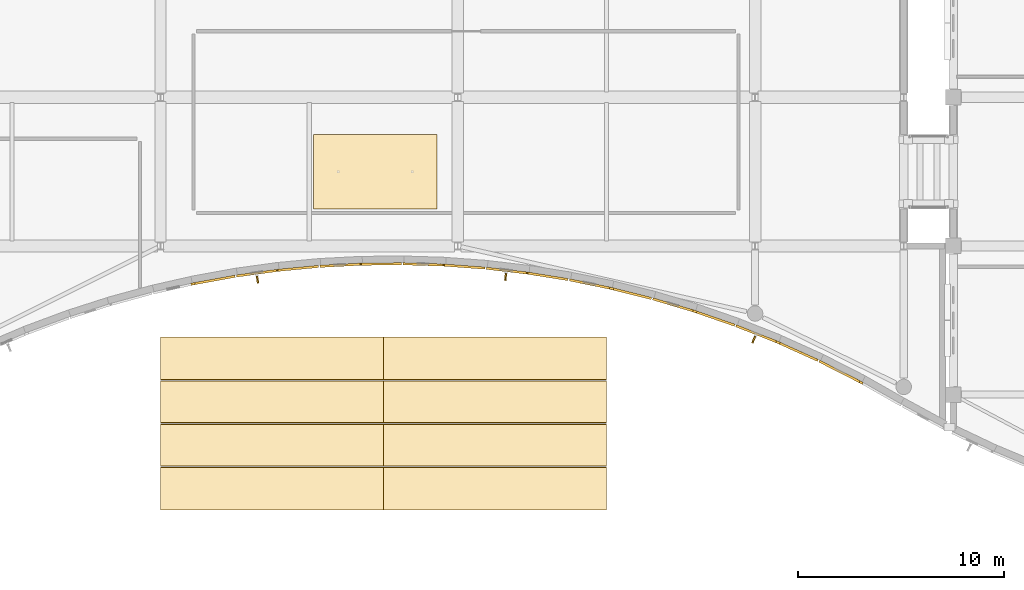
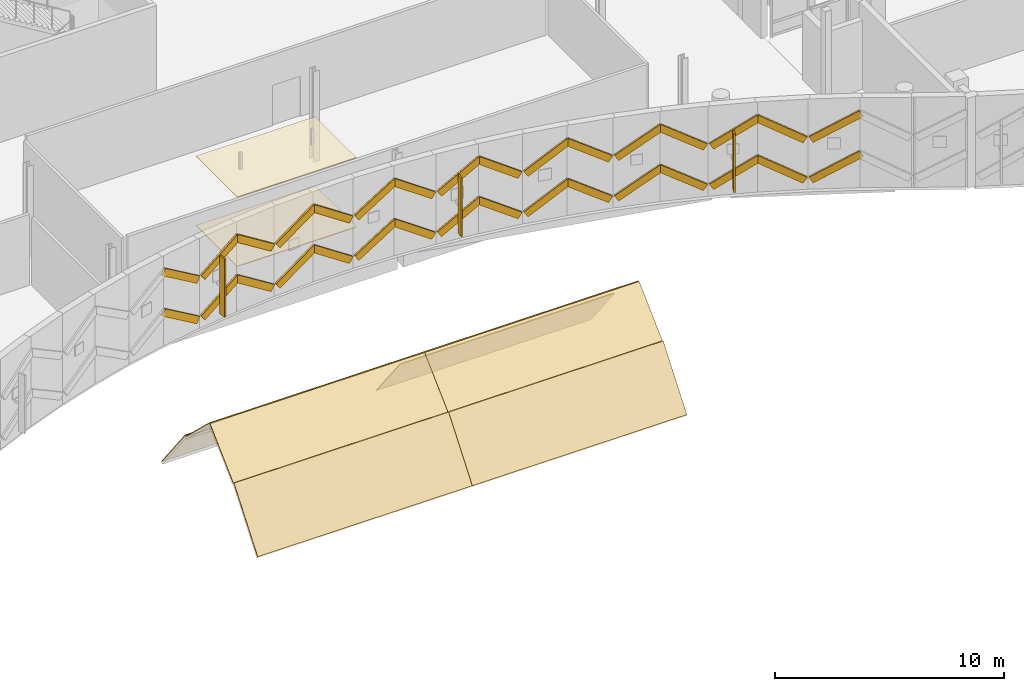
# One storey, part 177 of 193: 42 coverings, 3 shading devices, 2 elements without a shape of their own.
"""IFC4 building model written with IfcOpenShell, lengths in metres."""

from ifc_helpers import new_model, si_unit, direction, frame, origin, origin_2d, place, context, subcontext, project, spatial, polyline, rectangle, outline, extrude, material, layer, layer_set, type_object, element, aggregate, save


model = new_model("IFC4")

# Units and contexts
model_context = context("Model", 3, precision=1e-05, world=origin(), true_north=direction((0.0, 1.0)))
body_context = subcontext(model_context, "Body", "Model", "MODEL_VIEW")
ifc_project = project(units=[si_unit("LENGTHUNIT", "METRE"), si_unit("AREAUNIT", "SQUARE_METRE"), si_unit("VOLUMEUNIT", "CUBIC_METRE"), si_unit("PLANEANGLEUNIT", "RADIAN"), si_unit("MASSUNIT", "GRAM", prefix="KILO")], contexts=[model_context])

# Site, building, storey
site_placement = place(None, origin())
site = spatial("IfcSite", under=ifc_project, at=site_placement, CompositionType="ELEMENT")
building_placement = place(site_placement, origin())
building = spatial("IfcBuilding", under=site, at=building_placement, Name="Cendralis Lancet Convention Centre", CompositionType="ELEMENT")
storey_placement = place(building_placement, frame((0.0, 0.0, 10.199951171875)))
storey = spatial("IfcBuildingStorey", under=building, at=storey_placement, Name="L02", CompositionType="ELEMENT", Elevation=10.199951171875)

# Coverings
ifc_material_1 = material(Name="Warm buff sandstone chevron cassette", Category="masonry")
ifc_layer_1 = layer(ifc_material_1, 0.06005859375, Name="Warm buff sandstone chevron cassette")
ifc_layer_set_1 = layer_set([ifc_layer_1], Name="Warm buff sandstone chevron cassette")
covering_type_1 = type_object("IfcCoveringType", Name="ARC-CV-CLAD1", PredefinedType="CLADDING", material=ifc_layer_set_1)
covering_1_placement = place(storey_placement, frame((95.27294921875, 12.5234375, 2.0), z_axis=(0.540218512376, 0.098775845378, 0.835707658967), x_axis=(0.822163228386, 0.149849870904, -0.549174509678)))
element("IfcCovering", 1, at=covering_1_placement, inside=storey, type_object=covering_type_1, Name="L02 Diagonal Stone Chevron Relief CL-ST1 #0285", PredefinedType="CLADDING", context=body_context, shape_type="SweptSolid", body=[
    extrude(outline(polyline([(0.0, 0.0), (2.36727816971473, 1.8106176280507924e-17), (2.3672264781402927, 0.10994732982150186), (-5.1691574437417315e-05, 0.10994732982150184), (0.0, 0.0)])), origin(), (0.0, 0.0, -1.0), 0.360107421875),
])
covering_2_placement = place(storey_placement, frame((97.286865234375, 12.888916015625, 0.699951171875), z_axis=(-0.546765283479, -0.075310335798, 0.833892126179), x_axis=(0.82603341527, 0.114214414067, 0.551927408703)))
element("IfcCovering", 2, at=covering_2_placement, inside=storey, type_object=covering_type_1, Name="L02 Diagonal Stone Chevron Relief CL-ST1 #0291", PredefinedType="CLADDING", context=body_context, shape_type="SweptSolid", body=[
    extrude(outline(polyline([(0.0, 0.0), (2.3555576306989456, -3.366447745567491e-17), (2.3555185123740348, 0.11017558658850715), (0.00013466561092919174, 0.10990034102061025), (0.0, 0.0)])), origin(), (0.0, 0.0, -1.0), 0.360107421875),
])
covering_3_placement = place(storey_placement, frame((99.301025390625, 13.166015625, 2.0), z_axis=(0.551183897876, 0.052844833018, 0.832708673154), x_axis=(0.828960105876, 0.078923824437, -0.553711272056)))
element("IfcCovering", 3, at=covering_3_placement, inside=storey, type_object=covering_type_1, Name="L02 Diagonal Stone Chevron Relief CL-ST1 #0297", PredefinedType="CLADDING", context=body_context, shape_type="SweptSolid", body=[
    extrude(outline(polyline([(0.0, 0.0), (2.3478724781473024, 8.40256683676266e-18), (2.3478215779079266, 0.11012067175197505), (-7.016875120143158e-05, 0.10987763488500937), (0.0, 0.0)])), origin(), (0.0, 0.0, -1.0), 0.360107421875),
])
covering_4_placement = place(storey_placement, frame((101.31591796875, 13.3564453125, 0.699951171875), z_axis=(-0.554363837926, -0.029566071356, 0.831749110384), x_axis=(0.830590287499, 0.043890863692, 0.555151660717)))
element("IfcCovering", 4, at=covering_4_placement, inside=storey, type_object=covering_type_1, Name="L02 Diagonal Stone Chevron Relief CL-ST1 #0303", PredefinedType="CLADDING", context=body_context, shape_type="SweptSolid", body=[
    extrude(outline(polyline([(0.0, 0.0), (2.3417903973232903, 1.5720931501039814e-18), (2.341745651659616, 0.11001941119744647), (-4.474566367464357e-05, 0.11001941119744647), (0.0, 0.0)])), origin(), (0.0, 0.0, -1.0), 0.360107421875),
])
covering_5_placement = place(storey_placement, frame((103.32958984375, 13.46142578125, 2.0), z_axis=(0.555614467531, 0.005556144675, 0.831421489214), x_axis=(0.831376407589, 0.008660177623, -0.555642214224)))
element("IfcCovering", 5, at=covering_5_placement, inside=storey, type_object=covering_type_1, Name="L02 Diagonal Stone Chevron Relief CL-ST1 #0309", PredefinedType="CLADDING", context=body_context, shape_type="SweptSolid", body=[
    extrude(outline(polyline([(0.0, 0.0), (2.3398244143446307, -3.3068166260807885e-18), (2.339760986095707, 0.10987002348181216), (0.00013954450683504357, 0.10986751188847568), (0.0, 0.0)])), origin(), (0.0, 0.0, -1.0), 0.360107421875),
])
covering_6_placement = place(storey_placement, frame((105.343505859375, 13.48095703125, 0.699951171875), z_axis=(-0.55523109858, 0.017890779843, 0.831503666358), x_axis=(0.831088069029, -0.026287701467, 0.55551919703)))
element("IfcCovering", 6, at=covering_6_placement, inside=storey, type_object=covering_type_1, Name="L02 Diagonal Stone Chevron Relief CL-ST1 #0315", PredefinedType="CLADDING", context=body_context, shape_type="SweptSolid", body=[
    extrude(outline(polyline([(0.0, 0.0), (2.340342497780828, -2.6020852139652106e-18), (2.3402950776895706, 0.10991640566800805), (0.00015548226934535957, 0.1099241686054599), (0.0, 0.0)])), origin(), (0.0, 0.0, -1.0), 0.360107421875),
])
covering_7_placement = place(storey_placement, frame((107.357421875, 13.415771484375, 2.0), z_axis=(0.553075734647, -0.041265116059, 0.832108419583), x_axis=(0.829836069915, -0.061453916362, -0.554612940015)))
element("IfcCovering", 7, at=covering_7_placement, inside=storey, type_object=covering_type_1, Name="L02 Diagonal Stone Chevron Relief CL-ST1 #0321", PredefinedType="CLADDING", context=body_context, shape_type="SweptSolid", body=[
    extrude(outline(polyline([(0.0, 0.0), (2.343963790342994, -1.4148838350935833e-17), (2.344115552533026, 0.10993284937089597), (-5.083450672504434e-05, 0.10991477747427505), (0.0, 0.0)])), origin(), (0.0, 0.0, -1.0), 0.360107421875),
])
covering_8_placement = place(storey_placement, frame((109.370849609375, 13.26513671875, 0.699951171875), z_axis=(-0.548958948721, 0.064943804201, 0.833322491545), x_axis=(0.827675011326, -0.096854482073, 0.552786834982)))
element("IfcCovering", 8, at=covering_8_placement, inside=storey, type_object=covering_type_1, Name="L02 Diagonal Stone Chevron Relief CL-ST1 #0327", PredefinedType="CLADDING", context=body_context, shape_type="SweptSolid", body=[
    extrude(outline(polyline([(0.0, 0.0), (2.351808592127162, -9.107298248878237e-18), (2.351924795162226, 0.1101376709805901), (0.00011620303506416733, 0.1101376709805901), (0.0, 0.0)])), origin(), (0.0, 0.0, -1.0), 0.360107421875),
])
covering_9_placement = place(storey_placement, frame((111.385498046875, 13.028076171875, 2.0), z_axis=(0.543718944741, -0.086848245392, 0.834761697373), x_axis=(0.824218881, -0.132251403169, -0.550611298979)))
element("IfcCovering", 9, at=covering_9_placement, inside=storey, type_object=covering_type_1, Name="L02 Diagonal Stone Chevron Relief CL-ST1 #0333", PredefinedType="CLADDING", context=body_context, shape_type="SweptSolid", body=[
    extrude(outline(polyline([(0.0, 0.0), (2.3610848174231873, 3.198396408832238e-17), (2.361035969167337, 0.10977561554465676), (-8.113619607742067e-05, 0.11001668101012409), (0.0, 0.0)])), origin(), (0.0, 0.0, -1.0), 0.360107421875),
])
covering_10_placement = place(storey_placement, frame((113.39892578125, 12.703369140625, 0.699951171875), z_axis=(-0.536304363966, 0.110057925032, 0.83681830903), x_axis=(0.819783716895, -0.167986776787, 0.5474806849)))
element("IfcCovering", 10, at=covering_10_placement, inside=storey, type_object=covering_type_1, Name="L02 Diagonal Stone Chevron Relief CL-ST1 #0339", PredefinedType="CLADDING", context=body_context, shape_type="SweptSolid", body=[
    extrude(outline(polyline([(0.0, 0.0), (2.374702245821043, 6.830473686658678e-18), (2.3746286046973313, 0.10988520753186476), (0.0001265013852954841, 0.10993423804911716), (0.0, 0.0)])), origin(), (0.0, 0.0, -1.0), 0.360107421875),
])
covering_11_placement = place(storey_placement, frame((115.41259765625, 12.289306640625, 2.0), z_axis=(0.527422899245, -0.131553995464, 0.839356081547), x_axis=(0.81430104305, -0.203549740484, -0.543581929829)))
element("IfcCovering", 11, at=covering_11_placement, inside=storey, type_object=covering_type_1, Name="L02 Diagonal Stone Chevron Relief CL-ST1 #0345", PredefinedType="CLADDING", context=body_context, shape_type="SweptSolid", body=[
    extrude(outline(polyline([(0.0, 0.0), (2.3916336375181073, 1.5720931501039814e-18), (2.391586659271256, 0.10995817380137013), (-4.6978246851469424e-05, 0.10995817380137009), (0.0, 0.0)])), origin(), (0.0, 0.0, -1.0), 0.360107421875),
])
covering_12_placement = place(storey_placement, frame((117.42578125, 11.78466796875, 0.699951171875), z_axis=(-0.516176060511, 0.153716393454, 0.842575542571), x_axis=(0.807545890848, -0.240422919393, 0.538578178174)))
element("IfcCovering", 12, at=covering_12_placement, inside=storey, type_object=covering_type_1, Name="L02 Diagonal Stone Chevron Relief CL-ST1 #0351", PredefinedType="CLADDING", context=body_context, shape_type="SweptSolid", body=[
    extrude(outline(polyline([(0.0, 0.0), (2.413784294605301, 1.5178830414797062e-16), (2.413860153673085, 0.11007057012663117), (-6.259868891902651e-05, 0.10976691232723765), (0.0, 0.0)])), origin(), (0.0, 0.0, -1.0), 0.360107421875),
])
covering_13_placement = place(storey_placement, frame((119.440185546875, 11.18359375, 2.0), z_axis=(0.503700474187, -0.174813693983, 0.846005912923), x_axis=(0.799454346081, -0.27676501759, -0.533173399159)))
element("IfcCovering", 13, at=covering_13_placement, inside=storey, type_object=covering_type_1, Name="L02 Diagonal Stone Chevron Relief CL-ST1 #0357", PredefinedType="CLADDING", context=body_context, shape_type="SweptSolid", body=[
    extrude(outline(polyline([(0.0, 0.0), (2.4382251851197183, -4.2392304944183223e-17), (2.4383946457506482, 0.10987099983241229), (-2.5718652781586693e-05, 0.10979108019061262), (0.0, 0.0)])), origin(), (0.0, 0.0, -1.0), 0.360107421875),
])
covering_14_placement = place(storey_placement, frame((121.453369140625, 10.485107421875, 0.699951171875), z_axis=(-0.489239124765, 0.194643522756, 0.850152326262), x_axis=(0.78997924583, -0.314152468909, 0.526536814892)))
element("IfcCovering", 14, at=covering_14_placement, inside=storey, type_object=covering_type_1, Name="L02 Diagonal Stone Chevron Relief CL-ST1 #0363", PredefinedType="CLADDING", context=body_context, shape_type="SweptSolid", body=[
    extrude(outline(polyline([(0.0, 0.0), (2.468997833974073, 1.5582695724047912e-16), (2.4690702581880943, 0.11012065401670039), (-4.3744432687425894e-05, 0.10980357161026215), (0.0, 0.0)])), origin(), (0.0, 0.0, -1.0), 0.360107421875),
])
covering_15_placement = place(storey_placement, frame((123.46630859375, 9.68310546875, 2.0), z_axis=(0.472534157954, -0.214369154584, 0.854843456505), x_axis=(0.779156200712, -0.351672677385, -0.518885288743)))
element("IfcCovering", 15, at=covering_15_placement, inside=storey, type_object=covering_type_1, Name="L02 Diagonal Stone Chevron Relief CL-ST1 #0369", PredefinedType="CLADDING", context=body_context, shape_type="SweptSolid", body=[
    extrude(outline(polyline([(0.0, 0.0), (2.505464803741935, 6.743737512859838e-17), (2.505644797786033, 0.10991628941852379), (0.00017999404409795722, 0.1099162894185237), (0.0, 0.0)])), origin(), (0.0, 0.0, -1.0), 0.360107421875),
])
covering_16_placement = place(storey_placement, frame((125.4794921875, 8.772705078125, 0.699951171875), z_axis=(-0.454427385646, 0.231180016638, 0.86026248964), x_axis=(0.766548339773, -0.390455174818, 0.509851350149)))
element("IfcCovering", 16, at=covering_16_placement, inside=storey, type_object=covering_type_1, Name="L02 Diagonal Stone Chevron Relief CL-ST1 #0375", PredefinedType="CLADDING", context=body_context, shape_type="SweptSolid", body=[
    extrude(outline(polyline([(0.0, 0.0), (2.5498585572938635, -5.128276275856436e-17), (2.54981054367365, 0.10984075325757975), (-4.8013620213734065e-05, 0.10984075325757978), (0.0, 0.0)])), origin(), (0.0, 0.0, -1.0), 0.360107421875),
])
ifc_material_2 = material(Name="Dark Andean slate chevron cassette", Category="masonry")
ifc_layer_2 = layer(ifc_material_2, 0.06005859375, Name="Dark Andean slate chevron cassette")
ifc_layer_set_2 = layer_set([ifc_layer_2], Name="Dark Andean slate chevron cassette")
covering_type_2 = type_object("IfcCoveringType", Name="ARC-CV-CLAD2", PredefinedType="CLADDING", material=ifc_layer_set_2)
covering_17_placement = place(storey_placement, frame((95.27294921875, 12.5234375, 4.150146484375), z_axis=(0.540218512376, 0.098775845378, 0.835707658967), x_axis=(0.822163228386, 0.149849870904, -0.549174509678)))
element("IfcCovering", 17, at=covering_17_placement, inside=storey, type_object=covering_type_2, Name="L02 Diagonal Stone Chevron Relief CL-ST2 #0286", PredefinedType="CLADDING", context=body_context, shape_type="SweptSolid", body=[
    extrude(outline(polyline([(0.0, 0.0), (2.36727816971473, 1.8106176280507924e-17), (2.3672264781402927, 0.10994732982150186), (-5.1691574437417315e-05, 0.10994732982150184), (0.0, 0.0)])), origin(), (0.0, 0.0, -1.0), 0.360107421875),
])
covering_18_placement = place(storey_placement, frame((97.286865234375, 12.888916015625, 2.85009765625), z_axis=(-0.546765283479, -0.075310335798, 0.833892126179), x_axis=(0.82603341527, 0.114214414067, 0.551927408703)))
element("IfcCovering", 18, at=covering_18_placement, inside=storey, type_object=covering_type_2, Name="L02 Diagonal Stone Chevron Relief CL-ST2 #0292", PredefinedType="CLADDING", context=body_context, shape_type="SweptSolid", body=[
    extrude(outline(polyline([(0.0, 0.0), (2.3555576306989456, -3.366447745567491e-17), (2.3555185123740348, 0.11017558658850715), (0.00013466561092919174, 0.10990034102061025), (0.0, 0.0)])), origin(), (0.0, 0.0, -1.0), 0.360107421875),
])
covering_19_placement = place(storey_placement, frame((99.301025390625, 13.166015625, 4.150146484375), z_axis=(0.551183897876, 0.052844833018, 0.832708673154), x_axis=(0.828960105876, 0.078923824437, -0.553711272056)))
element("IfcCovering", 19, at=covering_19_placement, inside=storey, type_object=covering_type_2, Name="L02 Diagonal Stone Chevron Relief CL-ST2 #0298", PredefinedType="CLADDING", context=body_context, shape_type="SweptSolid", body=[
    extrude(outline(polyline([(0.0, 0.0), (2.3478724781473024, 8.40256683676266e-18), (2.3478215779079266, 0.11012067175197505), (-7.016875120143158e-05, 0.10987763488500937), (0.0, 0.0)])), origin(), (0.0, 0.0, -1.0), 0.360107421875),
])
covering_20_placement = place(storey_placement, frame((101.31591796875, 13.3564453125, 2.85009765625), z_axis=(-0.554363837926, -0.029566071356, 0.831749110384), x_axis=(0.830590287499, 0.043890863692, 0.555151660717)))
element("IfcCovering", 20, at=covering_20_placement, inside=storey, type_object=covering_type_2, Name="L02 Diagonal Stone Chevron Relief CL-ST2 #0304", PredefinedType="CLADDING", context=body_context, shape_type="SweptSolid", body=[
    extrude(outline(polyline([(0.0, 0.0), (2.3417903973232903, 1.5720931501039814e-18), (2.341745651659616, 0.11001941119744647), (-4.474566367464357e-05, 0.11001941119744647), (0.0, 0.0)])), origin(), (0.0, 0.0, -1.0), 0.360107421875),
])
covering_21_placement = place(storey_placement, frame((103.32958984375, 13.46142578125, 4.150146484375), z_axis=(0.555614467531, 0.005556144675, 0.831421489214), x_axis=(0.831376407589, 0.008660177623, -0.555642214224)))
element("IfcCovering", 21, at=covering_21_placement, inside=storey, type_object=covering_type_2, Name="L02 Diagonal Stone Chevron Relief CL-ST2 #0310", PredefinedType="CLADDING", context=body_context, shape_type="SweptSolid", body=[
    extrude(outline(polyline([(0.0, 0.0), (2.3398244143446307, -3.3068166260807885e-18), (2.339760986095707, 0.10987002348181216), (0.00013954450683504357, 0.10986751188847568), (0.0, 0.0)])), origin(), (0.0, 0.0, -1.0), 0.360107421875),
])
covering_22_placement = place(storey_placement, frame((105.343505859375, 13.48095703125, 2.85009765625), z_axis=(-0.55523109858, 0.017890779843, 0.831503666358), x_axis=(0.831088069029, -0.026287701467, 0.55551919703)))
element("IfcCovering", 22, at=covering_22_placement, inside=storey, type_object=covering_type_2, Name="L02 Diagonal Stone Chevron Relief CL-ST2 #0316", PredefinedType="CLADDING", context=body_context, shape_type="SweptSolid", body=[
    extrude(outline(polyline([(0.0, 0.0), (2.340342497780828, -2.6020852139652106e-18), (2.3402950776895706, 0.10991640566800805), (0.00015548226934535957, 0.1099241686054599), (0.0, 0.0)])), origin(), (0.0, 0.0, -1.0), 0.360107421875),
])
covering_23_placement = place(storey_placement, frame((107.357421875, 13.415771484375, 4.150146484375), z_axis=(0.553075734647, -0.041265116059, 0.832108419583), x_axis=(0.829836069915, -0.061453916362, -0.554612940015)))
element("IfcCovering", 23, at=covering_23_placement, inside=storey, type_object=covering_type_2, Name="L02 Diagonal Stone Chevron Relief CL-ST2 #0322", PredefinedType="CLADDING", context=body_context, shape_type="SweptSolid", body=[
    extrude(outline(polyline([(0.0, 0.0), (2.343963790342994, -1.4148838350935833e-17), (2.344115552533026, 0.10993284937089597), (-5.083450672504434e-05, 0.10991477747427505), (0.0, 0.0)])), origin(), (0.0, 0.0, -1.0), 0.360107421875),
])
covering_24_placement = place(storey_placement, frame((109.370849609375, 13.26513671875, 2.85009765625), z_axis=(-0.548958948721, 0.064943804201, 0.833322491545), x_axis=(0.827675011326, -0.096854482073, 0.552786834982)))
element("IfcCovering", 24, at=covering_24_placement, inside=storey, type_object=covering_type_2, Name="L02 Diagonal Stone Chevron Relief CL-ST2 #0328", PredefinedType="CLADDING", context=body_context, shape_type="SweptSolid", body=[
    extrude(outline(polyline([(0.0, 0.0), (2.351808592127162, -9.107298248878237e-18), (2.351924795162226, 0.1101376709805901), (0.00011620303506416733, 0.1101376709805901), (0.0, 0.0)])), origin(), (0.0, 0.0, -1.0), 0.360107421875),
])
covering_25_placement = place(storey_placement, frame((111.385498046875, 13.028076171875, 4.150146484375), z_axis=(0.543718944741, -0.086848245392, 0.834761697373), x_axis=(0.824218881, -0.132251403169, -0.550611298979)))
element("IfcCovering", 25, at=covering_25_placement, inside=storey, type_object=covering_type_2, Name="L02 Diagonal Stone Chevron Relief CL-ST2 #0334", PredefinedType="CLADDING", context=body_context, shape_type="SweptSolid", body=[
    extrude(outline(polyline([(0.0, 0.0), (2.3610848174231873, 3.198396408832238e-17), (2.361035969167337, 0.10977561554465676), (-8.113619607742067e-05, 0.11001668101012409), (0.0, 0.0)])), origin(), (0.0, 0.0, -1.0), 0.360107421875),
])
covering_26_placement = place(storey_placement, frame((113.39892578125, 12.703369140625, 2.85009765625), z_axis=(-0.536304363966, 0.110057925032, 0.83681830903), x_axis=(0.819783716895, -0.167986776787, 0.5474806849)))
element("IfcCovering", 26, at=covering_26_placement, inside=storey, type_object=covering_type_2, Name="L02 Diagonal Stone Chevron Relief CL-ST2 #0340", PredefinedType="CLADDING", context=body_context, shape_type="SweptSolid", body=[
    extrude(outline(polyline([(0.0, 0.0), (2.374702245821043, 6.830473686658678e-18), (2.3746286046973313, 0.10988520753186476), (0.0001265013852954841, 0.10993423804911716), (0.0, 0.0)])), origin(), (0.0, 0.0, -1.0), 0.360107421875),
])
covering_27_placement = place(storey_placement, frame((115.41259765625, 12.289306640625, 4.150146484375), z_axis=(0.527422899245, -0.131553995464, 0.839356081547), x_axis=(0.81430104305, -0.203549740484, -0.543581929829)))
element("IfcCovering", 27, at=covering_27_placement, inside=storey, type_object=covering_type_2, Name="L02 Diagonal Stone Chevron Relief CL-ST2 #0346", PredefinedType="CLADDING", context=body_context, shape_type="SweptSolid", body=[
    extrude(outline(polyline([(0.0, 0.0), (2.3916336375181073, 1.5720931501039814e-18), (2.391586659271256, 0.10995817380137013), (-4.6978246851469424e-05, 0.10995817380137009), (0.0, 0.0)])), origin(), (0.0, 0.0, -1.0), 0.360107421875),
])
covering_28_placement = place(storey_placement, frame((117.42578125, 11.78466796875, 2.85009765625), z_axis=(-0.516176060511, 0.153716393454, 0.842575542571), x_axis=(0.807545890848, -0.240422919393, 0.538578178174)))
element("IfcCovering", 28, at=covering_28_placement, inside=storey, type_object=covering_type_2, Name="L02 Diagonal Stone Chevron Relief CL-ST2 #0352", PredefinedType="CLADDING", context=body_context, shape_type="SweptSolid", body=[
    extrude(outline(polyline([(0.0, 0.0), (2.413784294605301, 1.5178830414797062e-16), (2.413860153673085, 0.11007057012663117), (-6.259868891902651e-05, 0.10976691232723765), (0.0, 0.0)])), origin(), (0.0, 0.0, -1.0), 0.360107421875),
])
covering_29_placement = place(storey_placement, frame((119.440185546875, 11.18359375, 4.150146484375), z_axis=(0.503700474187, -0.174813693983, 0.846005912923), x_axis=(0.799454346081, -0.27676501759, -0.533173399159)))
element("IfcCovering", 29, at=covering_29_placement, inside=storey, type_object=covering_type_2, Name="L02 Diagonal Stone Chevron Relief CL-ST2 #0358", PredefinedType="CLADDING", context=body_context, shape_type="SweptSolid", body=[
    extrude(outline(polyline([(0.0, 0.0), (2.4382251851197183, -4.2392304944183223e-17), (2.4383946457506482, 0.10987099983241229), (-2.5718652781586693e-05, 0.10979108019061262), (0.0, 0.0)])), origin(), (0.0, 0.0, -1.0), 0.360107421875),
])
covering_30_placement = place(storey_placement, frame((121.453369140625, 10.485107421875, 2.85009765625), z_axis=(-0.489239124765, 0.194643522756, 0.850152326262), x_axis=(0.78997924583, -0.314152468909, 0.526536814892)))
element("IfcCovering", 30, at=covering_30_placement, inside=storey, type_object=covering_type_2, Name="L02 Diagonal Stone Chevron Relief CL-ST2 #0364", PredefinedType="CLADDING", context=body_context, shape_type="SweptSolid", body=[
    extrude(outline(polyline([(0.0, 0.0), (2.468997833974073, 1.5582695724047912e-16), (2.4690702581880943, 0.11012065401670039), (-4.3744432687425894e-05, 0.10980357161026215), (0.0, 0.0)])), origin(), (0.0, 0.0, -1.0), 0.360107421875),
])
covering_31_placement = place(storey_placement, frame((123.46630859375, 9.68310546875, 4.150146484375), z_axis=(0.472534157954, -0.214369154584, 0.854843456505), x_axis=(0.779156200712, -0.351672677385, -0.518885288743)))
element("IfcCovering", 31, at=covering_31_placement, inside=storey, type_object=covering_type_2, Name="L02 Diagonal Stone Chevron Relief CL-ST2 #0370", PredefinedType="CLADDING", context=body_context, shape_type="SweptSolid", body=[
    extrude(outline(polyline([(0.0, 0.0), (2.505464803741935, 6.743737512859838e-17), (2.505644797786033, 0.10991628941852379), (0.00017999404409795722, 0.1099162894185237), (0.0, 0.0)])), origin(), (0.0, 0.0, -1.0), 0.360107421875),
])
covering_32_placement = place(storey_placement, frame((125.4794921875, 8.772705078125, 2.85009765625), z_axis=(-0.454427385646, 0.231180016638, 0.86026248964), x_axis=(0.766548339773, -0.390455174818, 0.509851350149)))
element("IfcCovering", 32, at=covering_32_placement, inside=storey, type_object=covering_type_2, Name="L02 Diagonal Stone Chevron Relief CL-ST2 #0376", PredefinedType="CLADDING", context=body_context, shape_type="SweptSolid", body=[
    extrude(outline(polyline([(0.0, 0.0), (2.5498585572938635, -5.128276275856436e-17), (2.54981054367365, 0.10984075325757975), (-4.8013620213734065e-05, 0.10984075325757978), (0.0, 0.0)])), origin(), (0.0, 0.0, -1.0), 0.360107421875),
])
ifc_material_3 = material(Name="Perforated acoustic mineral-wood ceiling", Category="wood")
ifc_layer_3 = layer(ifc_material_3, 0.030029296875, Name="Perforated acoustic mineral-wood ceiling")
ifc_layer_set_3 = layer_set([ifc_layer_3], Name="Perforated acoustic mineral-wood ceiling")
covering_type_3 = type_object("IfcCoveringType", Name="ARC-CV-CLG1", PredefinedType="CEILING", material=ifc_layer_set_3)
covering_33_placement = place(storey_placement, frame((0.0, 0.0, 3.68994140625)))
element("IfcCovering", 33, at=covering_33_placement, inside=storey, type_object=covering_type_3, Name="L02 Acoustic Suspended Ceiling CL-ACS #10", PredefinedType="CEILING", context=body_context, shape_type="SweptSolid", body=[
    extrude(outline(polyline([(101.0, 16.199951171875), (107.0, 16.199951171875), (107.0, 19.800048828125), (101.0, 19.800048828125), (101.0, 16.199951171875)])), origin(), (0.0, 0.0, 1.0), 0.030029296875),
])
ifc_material_4 = material(Name="Polished Andean granite terrazzo flooring", Category="masonry")
ifc_layer_4 = layer(ifc_material_4, 0.030029296875, Name="Polished Andean granite terrazzo flooring")
ifc_layer_set_4 = layer_set([ifc_layer_4], Name="Polished Andean granite terrazzo flooring")
covering_type_4 = type_object("IfcCoveringType", Name="ARC-CV-FLR1", PredefinedType="FLOORING", material=ifc_layer_set_4)
covering_34_placement = place(storey_placement, origin())
element("IfcCovering", 34, at=covering_34_placement, inside=storey, type_object=covering_type_4, Name="L02 Terrazzo Concourse Flooring FL-TRZ #10", PredefinedType="FLOORING", context=body_context, shape_type="SweptSolid", body=[
    extrude(outline(polyline([(101.0, 16.199951171875), (107.0, 16.199951171875), (107.0, 19.800048828125), (101.0, 19.800048828125), (101.0, 16.199951171875)])), origin(), (0.0, 0.0, 1.0), 0.030029296875),
])

# Roof, coverings
ifc_material_5 = material(Name="Patinated standing-seam zinc roofing")
ifc_layer_5 = layer(ifc_material_5, 0.159912109375, Name="Patinated standing-seam zinc roofing")
ifc_layer_set_5 = layer_set([ifc_layer_5], Name="Patinated standing-seam zinc roofing")
roof_type = type_object("IfcRoofType", Name="ARC-RF-BARREL", PredefinedType="BARREL_ROOF", material=ifc_layer_set_5)
roof_1_placement = place(storey_placement, origin())
roof_1 = element("IfcRoof", 35, at=roof_1_placement, inside=storey, type_object=roof_type, Name="Entrance Canopy Pointed-Arch Glass Vault #01", PredefinedType="BARREL_ROOF")
ifc_material_6 = material(Name="Elastomeric waterproof roof membrane")
ifc_layer_6 = layer(ifc_material_6, 0.050048828125, Name="Elastomeric waterproof roof membrane")
ifc_layer_set_6 = layer_set([ifc_layer_6], Name="Elastomeric waterproof roof membrane")
covering_type_5 = type_object("IfcCoveringType", Name="ARC-CV-MEMB", PredefinedType="ROOFING", material=ifc_layer_set_6)
covering_35_placement = place(storey_placement, frame((93.60009765625, 1.60009765625, -3.981201171875), z_axis=(0.0, -0.790106888939, 0.612969088985), x_axis=(1.0, 0.0, 0.0)))
covering_35 = element("IfcCovering", 36, at=covering_35_placement, type_object=covering_type_5, Name="Canopy Glazing Cap 01-S1", PredefinedType="ROOFING", context=body_context, shape_type="SweptSolid", body=[
    extrude(outline(polyline([(0.0, 0.0), (10.7998046875, 0.0), (10.7998046875, 3.3767187545753066), (0.0, 3.3767187545753066), (0.0, 0.0)])), origin(), (0.0, 0.0, -1.0), 0.0400390625),
])
covering_36_placement = place(storey_placement, frame((93.60009765625, 3.72998046875, -1.34326171875), z_axis=(0.0, -0.689772687451, 0.724025993765), x_axis=(1.0, 0.0, 0.0)))
covering_36 = element("IfcCovering", 37, at=covering_36_placement, type_object=covering_type_5, Name="Canopy Glazing Cap 01-S2", PredefinedType="ROOFING", context=body_context, shape_type="SweptSolid", body=[
    extrude(outline(polyline([(0.0, 0.0), (10.7998046875, 0.0), (10.7998046875, 2.801109613937658), (0.0, 2.801109613937658), (0.0, 0.0)])), origin(), (0.0, 0.0, -1.0), 0.0400390625),
])
covering_37_placement = place(storey_placement, frame((93.60009765625, 5.842041015625, 0.5888671875), z_axis=(0.0, 0.689772687451, 0.724025993765), x_axis=(1.0, 0.0, 0.0)))
covering_37 = element("IfcCovering", 38, at=covering_37_placement, type_object=covering_type_5, Name="Canopy Glazing Cap 01-N1", PredefinedType="ROOFING", context=body_context, shape_type="SweptSolid", body=[
    extrude(outline(polyline([(0.0, 0.0), (10.7998046875, 0.0), (10.7998046875, 2.801109613937658), (0.0, 2.801109613937658), (0.0, 0.0)])), origin(), (0.0, 0.0, -1.0), 0.0400390625),
])
covering_38_placement = place(storey_placement, frame((93.60009765625, 7.929931640625, -1.313232421875), z_axis=(0.0, 0.790071872956, 0.613014221339), x_axis=(1.0, 0.0, 0.0)))
covering_38 = element("IfcCovering", 39, at=covering_38_placement, type_object=covering_type_5, Name="Canopy Glazing Cap 01-N2", PredefinedType="ROOFING", context=body_context, shape_type="SweptSolid", body=[
    extrude(outline(polyline([(0.0, 0.0), (10.7998046875, 0.0), (10.7998046875, 3.37686841074124), (0.0, 3.37686841074124), (0.0, 0.0)])), origin(), (0.0, 0.0, -1.0), 0.0400390625),
])
aggregate(roof_1, [covering_35, covering_36, covering_37, covering_38])

roof_2_placement = place(storey_placement, origin())
roof_2 = element("IfcRoof", 40, at=roof_2_placement, inside=storey, type_object=roof_type, Name="Entrance Canopy Pointed-Arch Glass Vault #02", PredefinedType="BARREL_ROOF")
covering_39_placement = place(storey_placement, frame((104.39990234375, 1.60009765625, -3.981201171875), z_axis=(0.0, -0.790106888939, 0.612969088985), x_axis=(1.0, 0.0, 0.0)))
covering_39 = element("IfcCovering", 41, at=covering_39_placement, type_object=covering_type_5, Name="Canopy Glazing Cap 02-S1", PredefinedType="ROOFING", context=body_context, shape_type="SweptSolid", body=[
    extrude(outline(polyline([(0.0, 0.0), (10.800048828125, 0.0), (10.800048828125, 3.3767187545753066), (0.0, 3.3767187545753066), (0.0, 0.0)])), origin(), (0.0, 0.0, -1.0), 0.0400390625),
])
covering_40_placement = place(storey_placement, frame((104.39990234375, 3.72998046875, -1.34326171875), z_axis=(0.0, -0.689772687451, 0.724025993765), x_axis=(1.0, 0.0, 0.0)))
covering_40 = element("IfcCovering", 42, at=covering_40_placement, type_object=covering_type_5, Name="Canopy Glazing Cap 02-S2", PredefinedType="ROOFING", context=body_context, shape_type="SweptSolid", body=[
    extrude(outline(polyline([(0.0, 0.0), (10.800048828125, 0.0), (10.800048828125, 2.8011096139376583), (0.0, 2.8011096139376583), (0.0, 0.0)])), origin(), (0.0, 0.0, -1.0), 0.0400390625),
])
covering_41_placement = place(storey_placement, frame((104.39990234375, 5.842041015625, 0.5888671875), z_axis=(0.0, 0.689772687451, 0.724025993765), x_axis=(1.0, 0.0, 0.0)))
covering_41 = element("IfcCovering", 43, at=covering_41_placement, type_object=covering_type_5, Name="Canopy Glazing Cap 02-N1", PredefinedType="ROOFING", context=body_context, shape_type="SweptSolid", body=[
    extrude(outline(polyline([(0.0, 0.0), (10.800048828125, 0.0), (10.800048828125, 2.8011096139376583), (0.0, 2.8011096139376583), (0.0, 0.0)])), origin(), (0.0, 0.0, -1.0), 0.0400390625),
])
covering_42_placement = place(storey_placement, frame((104.39990234375, 7.929931640625, -1.313232421875), z_axis=(0.0, 0.790071872956, 0.613014221339), x_axis=(1.0, 0.0, 0.0)))
covering_42 = element("IfcCovering", 44, at=covering_42_placement, type_object=covering_type_5, Name="Canopy Glazing Cap 02-N2", PredefinedType="ROOFING", context=body_context, shape_type="SweptSolid", body=[
    extrude(outline(polyline([(0.0, 0.0), (10.800048828125, 0.0), (10.800048828125, 3.3768684107412397), (0.0, 3.3768684107412397), (0.0, 0.0)])), origin(), (0.0, 0.0, -1.0), 0.0400390625),
])
aggregate(roof_2, [covering_39, covering_40, covering_41, covering_42])

# Shading devices
ifc_material_7 = material(Name="Anodised bronze architectural aluminium", Category="aluminium")
shading_device_type = type_object("IfcShadingDeviceType", Name="ARC-SH-FIN1", PredefinedType="USERDEFINED", material=ifc_material_7)
for number, where, z_axis, x_axis, name in (
    (45, (98.294677734375, 12.77099609375, 0.449951171875), (0.0, 0.0, 1.0), (0.990576513035, 0.136960475405, 0.0), "Anodised Bronze Lancet Solar Fin SF-01 #018"),
    (46, (110.314697265625, 12.89794921875, 0.449951171875), (0.0, 0.0, 1.0), (0.99322754702, -0.116185368447, 0.0), "Anodised Bronze Lancet Solar Fin SF-01 #020"),
    (47, (122.33447265625, 9.8603515625, 0.449951171875), (0.0, 0.0, 1.0), (0.929268028387, -0.369406187572, 0.0), "Anodised Bronze Lancet Solar Fin SF-01 #022"),
):
    element("IfcShadingDevice", number, at=place(storey_placement, frame(where, z_axis=z_axis, x_axis=x_axis)), inside=storey, type_object=shading_device_type, Name=name, ObjectType="FIN", PredefinedType="USERDEFINED", context=body_context, shape_type="SweptSolid", body=[
        extrude(rectangle(XDim=0.080078125, YDim=0.340087890625, at=origin_2d()), origin(), (0.0, 0.0, 1.0), 3.10009765625),
    ])

save(model, "model.ifc")
